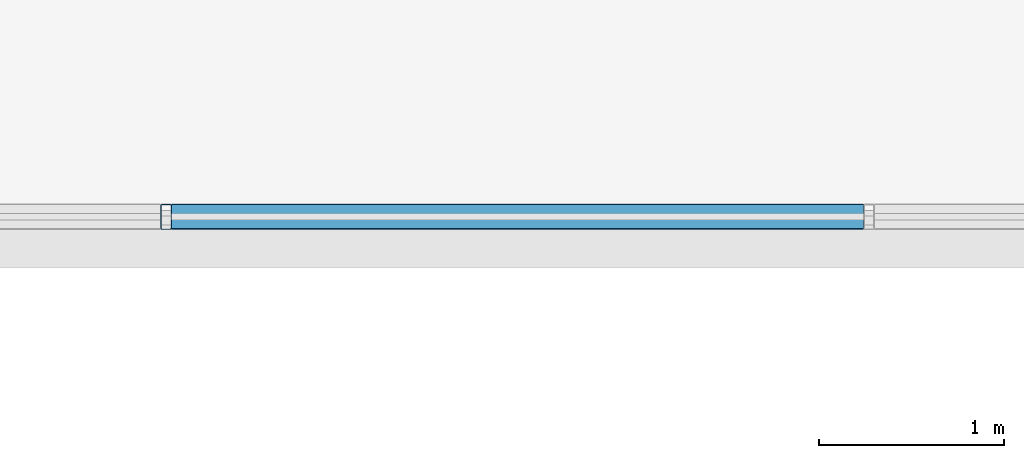
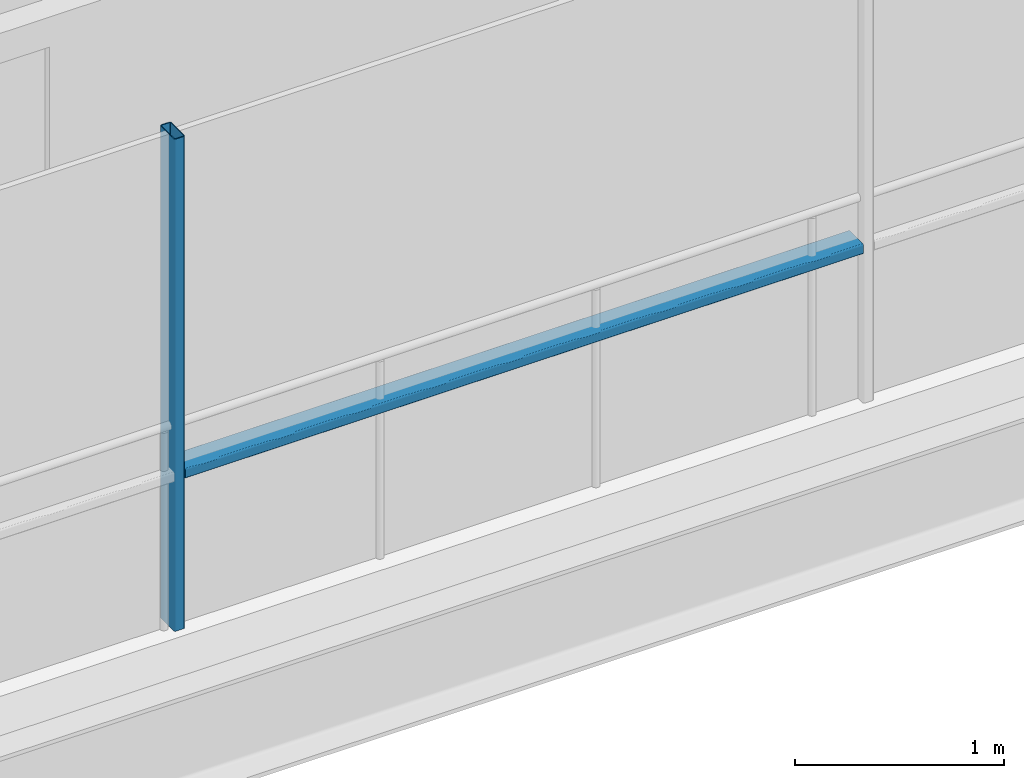
# One storey, part 11 of 40: 2 members, 1 element without a shape of its own.
"""IFC4 building model written with IfcOpenShell, lengths in metres."""

from ifc_helpers import new_model, si_unit, direction, frame, origin, origin_2d, place, context, subcontext, project, spatial, hollow_rectangle, extrude, material, layer, layer_set, material_profile, profile_set, type_object, element, aggregate, save


model = new_model("IFC4")

# Units and contexts
model_context = context("Model", 3, precision=1e-05, world=origin(), true_north=direction((0.0, 1.0)))
body_context = subcontext(model_context, "Body", "Model", "MODEL_VIEW")
ifc_project = project(units=[si_unit("LENGTHUNIT", "METRE"), si_unit("AREAUNIT", "SQUARE_METRE"), si_unit("VOLUMEUNIT", "CUBIC_METRE"), si_unit("PLANEANGLEUNIT", "RADIAN"), si_unit("MASSUNIT", "GRAM", prefix="KILO")], contexts=[model_context])

# Site, building, storey
site_placement = place(None, origin())
site = spatial("IfcSite", under=ifc_project, at=site_placement, CompositionType="ELEMENT")
building_placement = place(site_placement, origin())
building = spatial("IfcBuilding", under=site, at=building_placement, Name="Brevholm Reach", CompositionType="ELEMENT")
storey_placement = place(building_placement, frame((0.0, 0.0, 31.10009765625)))
storey = spatial("IfcBuildingStorey", under=building, at=storey_placement, Name="L07", CompositionType="ELEMENT", Elevation=31.10009765625)

# Curtain wall, members
ifc_material_1 = material(Name="Dark Anodised Aluminium 6063-T6 and Solar-Control Glass", Category="aluminium")
ifc_layer = layer(ifc_material_1, 0.139892578125)
ifc_layer_set = layer_set([ifc_layer], Name="Dark Anodised Aluminium 6063-T6 and Solar-Control Glass")
curtain_wall_type = type_object("IfcCurtainWallType", Name="CW-02", PredefinedType="NOTDEFINED", material=ifc_layer_set)
curtain_wall_placement = place(storey_placement, origin())
curtain_wall = element("IfcCurtainWall", 1, at=curtain_wall_placement, inside=storey, type_object=curtain_wall_type, Name="L07 Curtain Wall CW-02", PredefinedType="NOTDEFINED")
ifc_material_2 = material(Name="Dark Anodised Aluminium 6063-T6", Category="aluminium")
ifc_material_profile_1 = material_profile(ifc_material_2, hollow_rectangle(XDim=0.06005859375, YDim=0.139892578125, WallThickness=0.0048828125, InnerFilletRadius=0.0048828125, OuterFilletRadius=0.010009765625, at=origin_2d()), Name="RHS 140x60x5")
ifc_profile_set_1 = profile_set([ifc_material_profile_1], Name="Dark Anodised Aluminium 6063-T6")
member_type_1 = type_object("IfcMemberType", Name="CWM-140", PredefinedType="MULLION", material=ifc_profile_set_1)
member_1_placement = place(storey_placement, frame((30.050048828125, 26.6201171875, 0.0), z_axis=(0.0, 0.0, 1.0), x_axis=(-1.0, 0.0, 0.0)))
member_1 = element("IfcMember", 2, at=member_1_placement, type_object=member_type_1, Name="CM-140 Mullion 3", PredefinedType="MULLION", context=body_context, shape_type="SweptSolid", body=[
    extrude(hollow_rectangle(XDim=0.06005859375, YDim=0.139892578125, WallThickness=0.0048828125, InnerFilletRadius=0.0048828125, OuterFilletRadius=0.010009765625, at=origin_2d()), origin(), (0.0, 0.0, 1.0), 2.869873046875),
])
ifc_material_3 = material(Name="Dark Anodised Aluminium 6063-T6", Category="aluminium")
ifc_material_profile_2 = material_profile(ifc_material_3, hollow_rectangle(XDim=0.06005859375, YDim=0.139892578125, WallThickness=0.0048828125, InnerFilletRadius=0.0048828125, OuterFilletRadius=0.010009765625, at=origin_2d()), Name="RHS 140x60x5")
ifc_profile_set_2 = profile_set([ifc_material_profile_2], Name="Dark Anodised Aluminium 6063-T6")
member_type_2 = type_object("IfcMemberType", Name="CWT-140", PredefinedType="NOTDEFINED", material=ifc_profile_set_2)
member_2_placement = place(storey_placement, frame((33.820068359375, 26.6201171875, 0.89990234375), z_axis=(-1.0, 0.0, 0.0), x_axis=(0.0, 0.0, 1.0)))
member_2 = element("IfcMember", 3, at=member_2_placement, type_object=member_type_2, Name="CT-140 Transom 2.1", ObjectType="TRANSOM", PredefinedType="USERDEFINED", context=body_context, shape_type="SweptSolid", body=[
    extrude(hollow_rectangle(XDim=0.06005859375, YDim=0.139892578125, WallThickness=0.0048828125, InnerFilletRadius=0.0048828125, OuterFilletRadius=0.010009765625, at=origin_2d()), origin(), (0.0, 0.0, 1.0), 3.739990234375),
])
aggregate(curtain_wall, [member_1, member_2])

save(model, "model.ifc")
